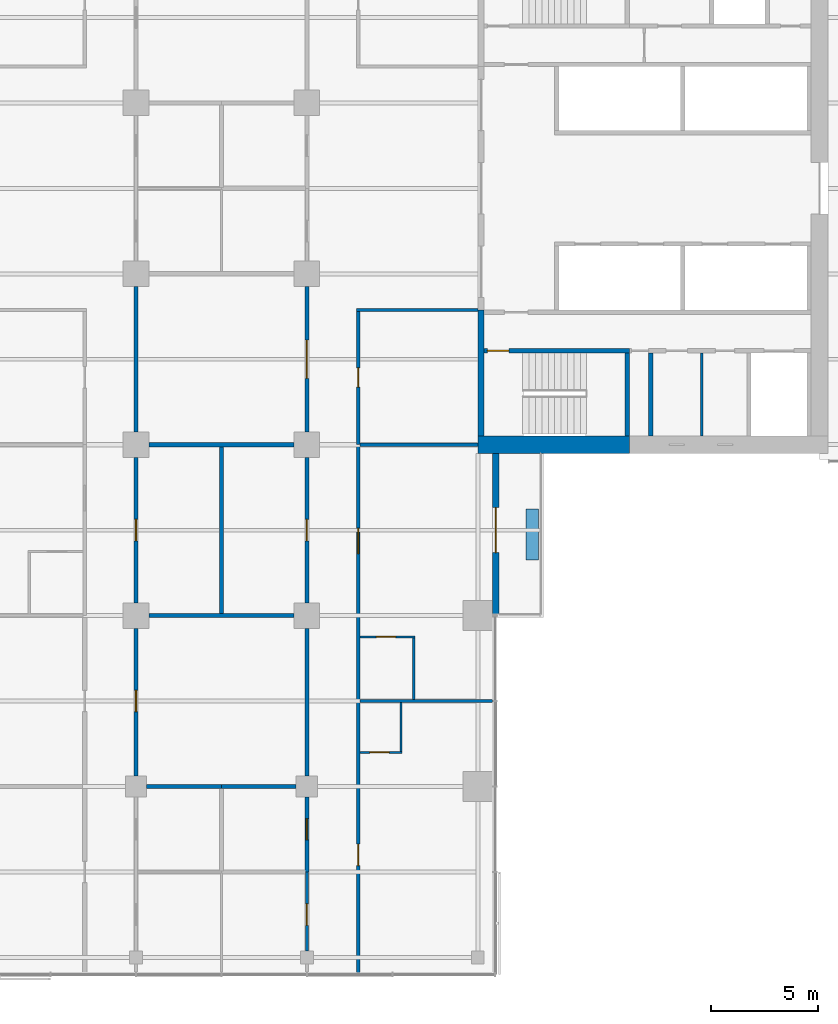
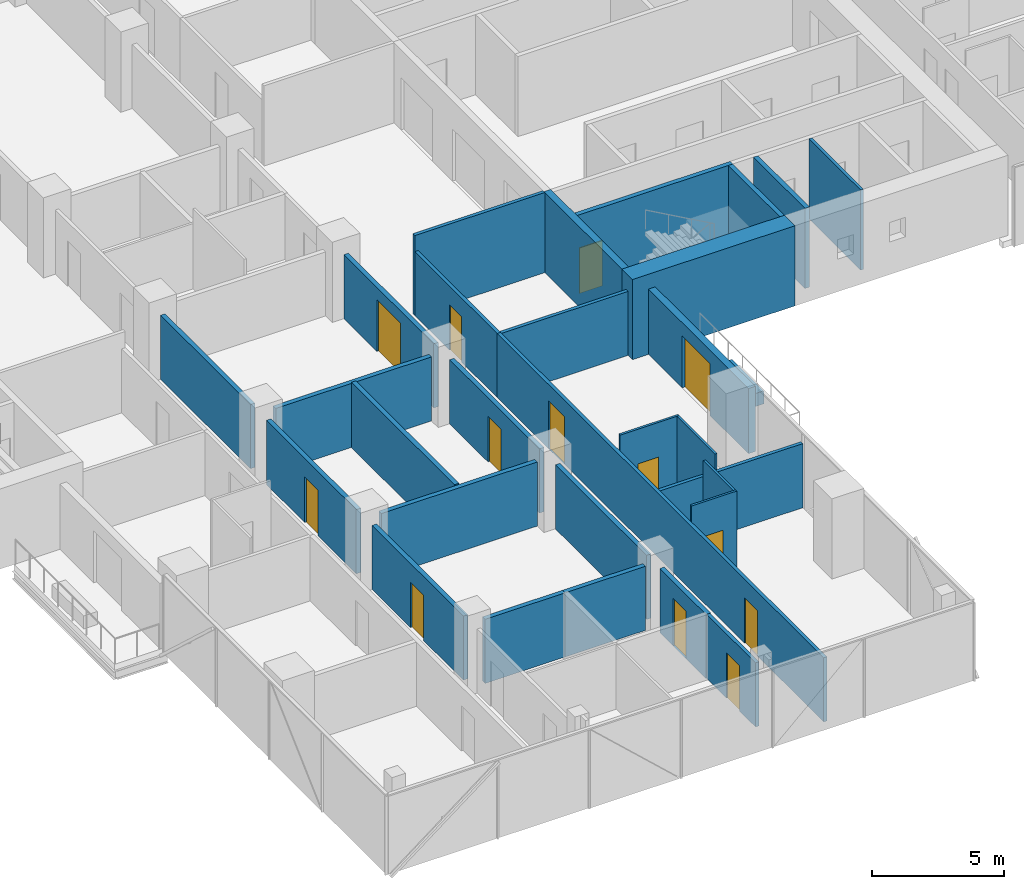
# One storey, part 16 of 27: 30 walls, 13 doors, 13 openings.
"""IFC4 building model written with IfcOpenShell, lengths in metres."""

from ifc_helpers import new_model, si_unit, direction, frame, frame_2d, origin, place, context, subcontext, project, spatial, rectangle, extrude, material, layer, layer_set, constituent, constituent_set, type_object, element, fill, save


model = new_model("IFC4")

# Units and contexts
model_context = context("Model", 3, precision=1e-05, world=origin(), true_north=direction((0.0, 1.0)))
body_context = subcontext(model_context, "Body", "Model", "MODEL_VIEW")
ifc_project = project(units=[si_unit("LENGTHUNIT", "METRE"), si_unit("AREAUNIT", "SQUARE_METRE"), si_unit("VOLUMEUNIT", "CUBIC_METRE"), si_unit("PLANEANGLEUNIT", "RADIAN"), si_unit("MASSUNIT", "GRAM", prefix="KILO")], contexts=[model_context])

# Site, building, storey
site_placement = place(None, origin())
site = spatial("IfcSite", under=ifc_project, at=site_placement, CompositionType="ELEMENT")
building_placement = place(site_placement, origin())
building = spatial("IfcBuilding", under=site, at=building_placement, Name="Crosswind Convention Tower", CompositionType="ELEMENT")
storey_placement = place(building_placement, frame((0.0, 0.0, 90.5)))
storey = spatial("IfcBuildingStorey", under=building, at=storey_placement, Name="L17", CompositionType="ELEMENT", Elevation=90.5)

# Walls
ifc_material_1 = material(Name="Concrete blockwork", Category="masonry")
ifc_layer_1 = layer(ifc_material_1, 0.199951171875)
ifc_layer_set_1 = layer_set([ifc_layer_1], Name="Blockwork partition wall 200")
wall_type_1 = type_object("IfcWallType", Name="Blockwork partition wall 200", PredefinedType="PARTITIONING", material=ifc_layer_set_1)
wall_1_placement = place(storey_placement, frame((145.10009765625, 88.39990234375, 0.0), z_axis=(0.0, 0.0, 1.0), x_axis=(0.0, 1.0, 0.0)))
element("IfcWall", 1, at=wall_1_placement, inside=storey, type_object=wall_type_1, Name="Wall MRSE E L17", PredefinedType="PARTITIONING", context=body_context, shape_type="SweptSolid", body=[
    extrude(rectangle(XDim=3.900146484375, YDim=0.199951171875, at=frame_2d((1.9501953125, 0.0))), origin(), (0.0, 0.0, 1.0), 3.699951171875),
])
ifc_layer_2 = layer(ifc_material_1, 0.199951171875)
ifc_layer_set_2 = layer_set([ifc_layer_2], Name="COMPARTMENT WALL 200")
wall_type_2 = type_object("IfcWallType", Name="COMPARTMENT WALL 200", PredefinedType="SOLIDWALL", material=ifc_layer_set_2)
wall_2_placement = place(storey_placement, frame((125.0, 72.0, 0.0), z_axis=(0.0, 0.0, 1.0), x_axis=(1.0, 0.0, 0.0)))
element("IfcWall", 2, at=wall_2_placement, inside=storey, type_object=wall_type_2, Name="Compartment Wall 5", PredefinedType="SOLIDWALL", context=body_context, shape_type="SweptSolid", body=[
    extrude(rectangle(XDim=3.5, YDim=0.199951171875, at=frame_2d((1.75, 0.0))), origin(), (0.0, 0.0, 1.0), 2.959716796875),
])

# Wall, opening, door
wall_3_placement = place(storey_placement, frame((129.0, 68.0, 0.0), z_axis=(0.0, 0.0, 1.0), x_axis=(0.0, 1.0, 0.0)))
wall_3 = element("IfcWall", 3, at=wall_3_placement, inside=storey, type_object=wall_type_2, Name="Compartment Wall 103", PredefinedType="SOLIDWALL", context=body_context, shape_type="SweptSolid", body=[
    extrude(rectangle(XDim=3.5, YDim=0.199951171875, at=frame_2d((1.75, 0.0))), origin(), (0.0, 0.0, 1.0), 2.959716796875),
])
opening_1_placement = place(wall_3_placement, frame((1.5, 0.0, 0.0)))
opening_1 = element("IfcOpeningElement", 4, at=opening_1_placement, cuts=wall_3, Name="Opening 17.053", PredefinedType="OPENING", context=body_context, shape_type="SweptSolid", body=[
    extrude(rectangle(XDim=1.0, YDim=2.199951171875, at=frame_2d((0.5, 1.10009765625))), frame((0.0, 0.10986328125, 0.0), z_axis=(0.0, -1.0, 0.0), x_axis=(1.0, 0.0, 0.0)), (0.0, 0.0, 1.0), 0.219970703125),
])
ifc_material_2 = material(Name="Steel fire door", Category="steel")
door_type_1 = type_object("IfcDoorType", Name="PLANT ROOM DOOR 1000X2200", OperationType="NOTDEFINED", PredefinedType="DOOR", material=ifc_material_2)
door_1_placement = place(opening_1_placement, origin())
door_1 = element("IfcDoor", 5, at=door_1_placement, inside=storey, type_object=door_type_1, Name="Door 17.053", ObjectType="D6", OperationType="SINGLE_SWING_RIGHT", OverallHeight=2.199951171875, OverallWidth=1.0, PredefinedType="DOOR", context=body_context, shape_type="SweptSolid", body=[
    extrude(rectangle(XDim=1.0, YDim=2.199951171875, at=frame_2d((0.5, 1.10009765625))), frame((0.0, 0.02490234375, 0.0), z_axis=(0.0, -1.0, 0.0), x_axis=(1.0, 0.0, 0.0)), (0.0, 0.0, 1.0), 0.050048828125),
])
fill(opening_1, door_1)

# Wall
ifc_material_3 = material(Name="Plasterboard partition", Category="gypsum")
ifc_layer_3 = layer(ifc_material_3, 0.14990234375)
ifc_layer_set_3 = layer_set([ifc_layer_3], Name="CORRIDOR WALL 150")
wall_type_3 = type_object("IfcWallType", Name="CORRIDOR WALL 150", PredefinedType="PARTITIONING", material=ifc_layer_set_3)
wall_4_placement = place(storey_placement, frame((131.324951171875, 94.300048828125, 0.0), z_axis=(0.0, 0.0, 1.0), x_axis=(1.0, 0.0, 0.0)))
element("IfcWall", 6, at=wall_4_placement, inside=storey, type_object=wall_type_3, Name="Corridor Wall 19", PredefinedType="PARTITIONING", context=body_context, shape_type="SweptSolid", body=[
    extrude(rectangle(XDim=5.675048828125, YDim=0.14990234375, at=frame_2d((2.83740234375, 0.0))), origin(), (0.0, 0.0, 1.0), 3.699951171875),
])

# Wall, opening, door
wall_5_placement = place(storey_placement, frame((129.0, 64.300048828125, 0.0), z_axis=(0.0, 0.0, 1.0), x_axis=(0.0, 1.0, 0.0)))
wall_5 = element("IfcWall", 7, at=wall_5_placement, inside=storey, type_object=wall_type_3, Name="Corridor Wall 102", PredefinedType="PARTITIONING", context=body_context, shape_type="SweptSolid", body=[
    extrude(rectangle(XDim=3.699951171875, YDim=0.14990234375, at=frame_2d((1.85009765625, 0.0))), origin(), (0.0, 0.0, 1.0), 2.959716796875),
])
opening_2_placement = place(wall_5_placement, frame((1.199951171875, 0.0, 0.0)))
opening_2 = element("IfcOpeningElement", 8, at=opening_2_placement, cuts=wall_5, Name="Opening 17.052", PredefinedType="OPENING", context=body_context, shape_type="SweptSolid", body=[
    extrude(rectangle(XDim=1.0, YDim=2.10009765625, at=frame_2d((0.5, 1.050048828125))), frame((0.0, 0.0849609375, 0.0), z_axis=(0.0, -1.0, 0.0), x_axis=(1.0, 0.0, 0.0)), (0.0, 0.0, 1.0), 0.169921875),
])
ifc_material_4 = material(Name="Timber fire door", Category="wood")
door_type_2 = type_object("IfcDoorType", Name="SERVICE ROOM DOOR 1000X2100", OperationType="NOTDEFINED", PredefinedType="DOOR", material=ifc_material_4)
door_2_placement = place(opening_2_placement, origin())
door_2 = element("IfcDoor", 9, at=door_2_placement, inside=storey, type_object=door_type_2, Name="Door 17.052", ObjectType="D3", OperationType="SINGLE_SWING_LEFT", OverallHeight=2.10009765625, OverallWidth=1.0, PredefinedType="DOOR", context=body_context, shape_type="SweptSolid", body=[
    extrude(rectangle(XDim=1.0, YDim=2.10009765625, at=frame_2d((0.5, 1.050048828125))), frame((0.0, 0.02490234375, 0.0), z_axis=(0.0, -1.0, 0.0), x_axis=(1.0, 0.0, 0.0)), (0.0, 0.0, 1.0), 0.050048828125),
])
fill(opening_2, door_2)

wall_6_placement = place(storey_placement, frame((131.39990234375, 88.0, 0.0), z_axis=(0.0, 0.0, 1.0), x_axis=(0.0, 1.0, 0.0)))
wall_6 = element("IfcWall", 10, at=wall_6_placement, inside=storey, type_object=wall_type_3, Name="Corridor Wall 115", PredefinedType="PARTITIONING", context=body_context, shape_type="SweptSolid", body=[
    extrude(rectangle(XDim=6.22509765625, YDim=0.14990234375, at=frame_2d((3.112548828125, 0.0))), origin(), (0.0, 0.0, 1.0), 2.956298828125),
])
opening_3_placement = place(wall_6_placement, frame((2.699951171875, 0.0, 0.0)))
opening_3 = element("IfcOpeningElement", 11, at=opening_3_placement, cuts=wall_6, Name="Opening 17.002", PredefinedType="OPENING", context=body_context, shape_type="SweptSolid", body=[
    extrude(rectangle(XDim=0.89990234375, YDim=2.10009765625, at=frame_2d((0.449951171875, 1.050048828125))), frame((0.0, 0.0849609375, 0.0), z_axis=(0.0, -1.0, 0.0), x_axis=(1.0, 0.0, 0.0)), (0.0, 0.0, 1.0), 0.169921875),
])
ifc_material_5 = material(Name="Timber door", Category="wood")
door_type_3 = type_object("IfcDoorType", Name="WC DOOR 900X2100", OperationType="NOTDEFINED", PredefinedType="DOOR", material=ifc_material_5)
door_3_placement = place(opening_3_placement, frame((0.89990234375, 0.0, 0.0), z_axis=(0.0, 0.0, 1.0), x_axis=(-1.0, 0.0, 0.0)))
door_3 = element("IfcDoor", 12, at=door_3_placement, inside=storey, type_object=door_type_3, Name="Door 17.002", ObjectType="D7", OperationType="SINGLE_SWING_LEFT", OverallHeight=2.10009765625, OverallWidth=0.89990234375, PredefinedType="DOOR", context=body_context, shape_type="SweptSolid", body=[
    extrude(rectangle(XDim=0.89990234375, YDim=2.10009765625, at=frame_2d((0.449951171875, 1.050048828125))), frame((0.0, 0.02490234375, 0.0), z_axis=(0.0, -1.0, 0.0), x_axis=(1.0, 0.0, 0.0)), (0.0, 0.0, 1.0), 0.050048828125),
])
fill(opening_3, door_3)

# Walls
ifc_material_6 = material(Name="Concrete C50/60", Category="concrete")
ifc_layer_4 = layer(ifc_material_6, 0.300048828125)
ifc_layer_set_4 = layer_set([ifc_layer_4], Name="Concrete C50/60")
wall_type_4 = type_object("IfcWallType", Name="Concrete inner core wall 300", PredefinedType="SHEAR", material=ifc_layer_set_4)
wall_7_placement = place(storey_placement, frame((137.14990234375, 88.39990234375, 0.0), z_axis=(0.0, 0.0, 1.0), x_axis=(0.0, 1.0, 0.0)))
element("IfcWall", 13, at=wall_7_placement, inside=storey, type_object=wall_type_4, Name="Wall EM E L17", PredefinedType="SHEAR", context=body_context, shape_type="SweptSolid", body=[
    extrude(rectangle(XDim=5.900146484375, YDim=0.300048828125, at=frame_2d((2.9501953125, 0.0))), origin(), (0.0, 0.0, 1.0), 3.699951171875),
])
ifc_layer_5 = layer(ifc_material_6, 0.199951171875)
ifc_layer_set_5 = layer_set([ifc_layer_5], Name="Concrete C50/60")
wall_type_5 = type_object("IfcWallType", Name="Concrete shaft and stair wall 200", PredefinedType="SHEAR", material=ifc_layer_set_5)
wall_8_placement = place(storey_placement, frame((144.0, 88.39990234375, 0.0), z_axis=(0.0, 0.0, 1.0), x_axis=(0.0, 1.0, 0.0)))
element("IfcWall", 14, at=wall_8_placement, inside=storey, type_object=wall_type_5, Name="Wall MSE E L17", PredefinedType="SHEAR", context=body_context, shape_type="SweptSolid", body=[
    extrude(rectangle(XDim=3.900146484375, YDim=0.199951171875, at=frame_2d((1.9501953125, 0.0))), origin(), (0.0, 0.0, 1.0), 3.699951171875),
])

# Wall, opening, door
wall_9_placement = place(storey_placement, frame((137.300048828125, 92.39990234375, 0.0), z_axis=(0.0, 0.0, 1.0), x_axis=(1.0, 0.0, 0.0)))
wall_9 = element("IfcWall", 15, at=wall_9_placement, inside=storey, type_object=wall_type_5, Name="Wall MCW E L17", PredefinedType="SHEAR", context=body_context, shape_type="SweptSolid", body=[
    extrude(rectangle(XDim=6.800048828125, YDim=0.199951171875, at=frame_2d((3.39990234375, 0.0))), origin(), (0.0, 0.0, 1.0), 3.699951171875),
])
opening_4_placement = place(wall_9_placement, frame((0.14990234375, 0.0, 0.0)))
opening_4 = element("IfcOpeningElement", 16, at=opening_4_placement, cuts=wall_9, Name="Opening D103", PredefinedType="OPENING", context=body_context, shape_type="SweptSolid", body=[
    extrude(rectangle(XDim=1.0, YDim=2.10009765625, at=frame_2d((0.5, 1.050048828125))), frame((0.0, 0.10986328125, 0.0), z_axis=(0.0, -1.0, 0.0), x_axis=(1.0, 0.0, 0.0)), (0.0, 0.0, 1.0), 0.219970703125),
])
door_type_4 = type_object("IfcDoorType", Name="Fire-rated single door 1000x2100", OperationType="NOTDEFINED", PredefinedType="DOOR", material=ifc_material_2)
door_4_placement = place(opening_4_placement, frame((1.0, 0.0, 0.0), z_axis=(0.0, 0.0, 1.0), x_axis=(-1.0, 0.0, 0.0)))
door_4 = element("IfcDoor", 17, at=door_4_placement, inside=storey, type_object=door_type_4, Name="Stair ST2 door L17", ObjectType="D103", OperationType="SINGLE_SWING_RIGHT", OverallHeight=2.10009765625, OverallWidth=1.0, PredefinedType="DOOR", context=body_context, shape_type="SweptSolid", body=[
    extrude(rectangle(XDim=1.0, YDim=2.10009765625, at=frame_2d((0.5, 1.050048828125))), frame((0.0, 0.02490234375, 0.0), z_axis=(0.0, -1.0, 0.0), x_axis=(1.0, 0.0, 0.0)), (0.0, 0.0, 1.0), 0.050048828125),
])
fill(opening_4, door_4)

# Walls
ifc_material_7 = material(Name="Gypsum plasterboard partition", Category="gypsum")
ifc_layer_6 = layer(ifc_material_7, 0.125)
ifc_layer_set_6 = layer_set([ifc_layer_6], Name="Drywall partition wall 125")
wall_type_6 = type_object("IfcWallType", Name="Drywall partition wall 125", PredefinedType="PARTITIONING", material=ifc_layer_set_6)
wall_10_placement = place(storey_placement, frame((147.488037109375, 88.39990234375, 0.0), z_axis=(0.0, 0.0, 1.0), x_axis=(0.0, 1.0, 0.0)))
element("IfcWall", 18, at=wall_10_placement, inside=storey, type_object=wall_type_6, Name="Wall MWP1 E L17", PredefinedType="PARTITIONING", context=body_context, shape_type="SweptSolid", body=[
    extrude(rectangle(XDim=3.900146484375, YDim=0.125, at=frame_2d((1.9501953125, 0.0))), origin(), (0.0, 0.0, 1.0), 3.699951171875),
])
ifc_material_8 = material(Name="Acoustic plasterboard partition", Category="gypsum")
ifc_layer_7 = layer(ifc_material_8, 0.14990234375)
ifc_layer_set_7 = layer_set([ifc_layer_7], Name="GUEST ROOM WALL 150")
wall_type_7 = type_object("IfcWallType", Name="GUEST ROOM WALL 150", PredefinedType="PARTITIONING", material=ifc_layer_set_7)
wall_11_placement = place(storey_placement, frame((131.47509765625, 76.0, 0.0), z_axis=(0.0, 0.0, 1.0), x_axis=(1.0, 0.0, 0.0)))
element("IfcWall", 19, at=wall_11_placement, inside=storey, type_object=wall_type_7, Name="Guest Room Wall 7", PredefinedType="PARTITIONING", context=body_context, shape_type="SweptSolid", body=[
    extrude(rectangle(XDim=6.224853515625, YDim=0.14990234375, at=frame_2d((3.1123046875, 0.0))), origin(), (0.0, 0.0, 1.0), 2.962890625),
])
wall_12_placement = place(storey_placement, frame((131.47509765625, 88.0, 0.0), z_axis=(0.0, 0.0, 1.0), x_axis=(1.0, 0.0, 0.0)))
element("IfcWall", 20, at=wall_12_placement, inside=storey, type_object=wall_type_7, Name="Guest Room Wall 14", PredefinedType="PARTITIONING", context=body_context, shape_type="SweptSolid", body=[
    extrude(rectangle(XDim=5.52490234375, YDim=0.14990234375, at=frame_2d((2.762451171875, 0.0))), origin(), (0.0, 0.0, 1.0), 2.956298828125),
])

# Wall, openings, doors
wall_13_placement = place(storey_placement, frame((131.39990234375, 63.300048828125, 0.0), z_axis=(0.0, 0.0, 1.0), x_axis=(0.0, 1.0, 0.0)))
wall_13 = element("IfcWall", 21, at=wall_13_placement, inside=storey, type_object=wall_type_7, Name="Guest Room Wall 114", PredefinedType="PARTITIONING", context=body_context, shape_type="SweptSolid", body=[
    extrude(rectangle(XDim=24.699951171875, YDim=0.14990234375, at=frame_2d((12.35009765625, 0.0))), origin(), (0.0, 0.0, 1.0), 2.956298828125),
])
opening_5_placement = place(wall_13_placement, frame((19.60009765625, 0.0, 0.0)))
opening_5 = element("IfcOpeningElement", 22, at=opening_5_placement, cuts=wall_13, Name="Opening 17.020", PredefinedType="OPENING", context=body_context, shape_type="SweptSolid", body=[
    extrude(rectangle(XDim=1.199951171875, YDim=2.199951171875, at=frame_2d((0.60009765625, 1.10009765625))), frame((0.0, 0.0849609375, 0.0), z_axis=(0.0, -1.0, 0.0), x_axis=(1.0, 0.0, 0.0)), (0.0, 0.0, 1.0), 0.169921875),
])
opening_6_placement = place(wall_13_placement, frame((5.0, 0.0, 0.0)))
opening_6 = element("IfcOpeningElement", 23, at=opening_6_placement, cuts=wall_13, Name="Opening 17.022", PredefinedType="OPENING", context=body_context, shape_type="SweptSolid", body=[
    extrude(rectangle(XDim=1.0, YDim=2.10009765625, at=frame_2d((0.5, 1.050048828125))), frame((0.0, 0.0849609375, 0.0), z_axis=(0.0, -1.0, 0.0), x_axis=(1.0, 0.0, 0.0)), (0.0, 0.0, 1.0), 0.169921875),
])
door_type_5 = type_object("IfcDoorType", Name="GUEST ROOM DOOR 1000X2100", OperationType="NOTDEFINED", PredefinedType="DOOR", material=ifc_material_4)
door_5_placement = place(opening_6_placement, frame((1.0, 0.0, 0.0), z_axis=(0.0, 0.0, 1.0), x_axis=(-1.0, 0.0, 0.0)))
door_5 = element("IfcDoor", 24, at=door_5_placement, inside=storey, type_object=door_type_5, Name="Door 17.022", ObjectType="D1", OperationType="SINGLE_SWING_LEFT", OverallHeight=2.10009765625, OverallWidth=1.0, PredefinedType="DOOR", context=body_context, shape_type="SweptSolid", body=[
    extrude(rectangle(XDim=1.0, YDim=2.10009765625, at=frame_2d((0.5, 1.050048828125))), frame((0.0, 0.02490234375, 0.0), z_axis=(0.0, -1.0, 0.0), x_axis=(1.0, 0.0, 0.0)), (0.0, 0.0, 1.0), 0.050048828125),
])
fill(opening_6, door_5)
door_type_6 = type_object("IfcDoorType", Name="SUITE DOOR 1200X2200", OperationType="DOUBLE_DOOR_SINGLE_SWING", PredefinedType="DOOR", material=ifc_material_4)
door_6_placement = place(opening_5_placement, frame((1.199951171875, 0.0, 0.0), z_axis=(0.0, 0.0, 1.0), x_axis=(-1.0, 0.0, 0.0)))
door_6 = element("IfcDoor", 25, at=door_6_placement, inside=storey, type_object=door_type_6, Name="Door 17.020", ObjectType="D14", OperationType="DOUBLE_DOOR_SINGLE_SWING", OverallHeight=2.199951171875, OverallWidth=1.199951171875, PredefinedType="DOOR", context=body_context, shape_type="SweptSolid", body=[
    extrude(rectangle(XDim=1.199951171875, YDim=2.199951171875, at=frame_2d((0.60009765625, 1.10009765625))), frame((0.0, 0.02490234375, 0.0), z_axis=(0.0, -1.0, 0.0), x_axis=(1.0, 0.0, 0.0)), (0.0, 0.0, 1.0), 0.050048828125),
])
fill(opening_5, door_6)

# Walls
ifc_material_9 = material(Name="Double plasterboard partition", Category="gypsum")
ifc_layer_8 = layer(ifc_material_9, 0.199951171875)
ifc_layer_set_8 = layer_set([ifc_layer_8], Name="HALL WALL 200")
wall_type_8 = type_object("IfcWallType", Name="HALL WALL 200", PredefinedType="PARTITIONING", material=ifc_layer_set_8)
wall_14_placement = place(storey_placement, frame((121.5, 72.0, 0.0), z_axis=(0.0, 0.0, 1.0), x_axis=(1.0, 0.0, 0.0)))
element("IfcWall", 26, at=wall_14_placement, inside=storey, type_object=wall_type_8, Name="Hall Wall 4", PredefinedType="PARTITIONING", context=body_context, shape_type="SweptSolid", body=[
    extrude(rectangle(XDim=3.5, YDim=0.199951171875, at=frame_2d((1.75, 0.0))), origin(), (0.0, 0.0, 1.0), 2.959716796875),
])
for number, where, z_axis, x_axis, name in (
    (27, (121.60009765625, 80.0, 0.0), (0.0, 0.0, 1.0), (1.0, 0.0, 0.0), "Hall Wall 10"),
    (28, (121.60009765625, 88.0, 0.0), (0.0, 0.0, 1.0), (1.0, 0.0, 0.0), "Hall Wall 13"),
):
    element("IfcWall", number, at=place(storey_placement, frame(where, z_axis=z_axis, x_axis=x_axis)), inside=storey, type_object=wall_type_8, Name=name, PredefinedType="PARTITIONING", context=body_context, shape_type="SweptSolid", body=[
        extrude(rectangle(XDim=6.7998046875, YDim=0.199951171875, at=frame_2d((3.39990234375, 0.0))), origin(), (0.0, 0.0, 1.0), 2.959716796875),
    ])

# Wall, opening, door
wall_15_placement = place(storey_placement, frame((121.0, 72.5, 0.0), z_axis=(0.0, 0.0, 1.0), x_axis=(0.0, 1.0, 0.0)))
wall_15 = element("IfcWall", 29, at=wall_15_placement, inside=storey, type_object=wall_type_8, Name="Hall Wall 85", PredefinedType="PARTITIONING", context=body_context, shape_type="SweptSolid", body=[
    extrude(rectangle(XDim=6.89990234375, YDim=0.199951171875, at=frame_2d((3.449951171875, 0.0))), origin(), (0.0, 0.0, 1.0), 2.959716796875),
])
opening_7_placement = place(wall_15_placement, frame((3.0, 0.0, 0.0)))
opening_7 = element("IfcOpeningElement", 30, at=opening_7_placement, cuts=wall_15, Name="Opening 17.054", PredefinedType="OPENING", context=body_context, shape_type="SweptSolid", body=[
    extrude(rectangle(XDim=1.0, YDim=2.10009765625, at=frame_2d((0.5, 1.050048828125))), frame((0.0, 0.10986328125, 0.0), z_axis=(0.0, -1.0, 0.0), x_axis=(1.0, 0.0, 0.0)), (0.0, 0.0, 1.0), 0.219970703125),
])
door_type_7 = type_object("IfcDoorType", Name="MEETING ROOM DOOR 1000X2100", OperationType="NOTDEFINED", PredefinedType="DOOR", material=ifc_material_4)
door_7_placement = place(opening_7_placement, origin())
door_7 = element("IfcDoor", 31, at=door_7_placement, inside=storey, type_object=door_type_7, Name="Door 17.054", ObjectType="D13", OperationType="SINGLE_SWING_RIGHT", OverallHeight=2.10009765625, OverallWidth=1.0, PredefinedType="DOOR", context=body_context, shape_type="SweptSolid", body=[
    extrude(rectangle(XDim=1.0, YDim=2.10009765625, at=frame_2d((0.5, 1.050048828125))), frame((0.0, 0.02490234375, 0.0), z_axis=(0.0, -1.0, 0.0), x_axis=(1.0, 0.0, 0.0)), (0.0, 0.0, 1.0), 0.050048828125),
])
fill(opening_7, door_7)

wall_16_placement = place(storey_placement, frame((121.0, 80.60009765625, 0.0), z_axis=(0.0, 0.0, 1.0), x_axis=(0.0, 1.0, 0.0)))
wall_16 = element("IfcWall", 32, at=wall_16_placement, inside=storey, type_object=wall_type_8, Name="Hall Wall 86", PredefinedType="PARTITIONING", context=body_context, shape_type="SweptSolid", body=[
    extrude(rectangle(XDim=6.7998046875, YDim=0.199951171875, at=frame_2d((3.39990234375, 0.0))), origin(), (0.0, 0.0, 1.0), 2.959716796875),
])
opening_8_placement = place(wall_16_placement, frame((2.89990234375, 0.0, 0.0)))
opening_8 = element("IfcOpeningElement", 33, at=opening_8_placement, cuts=wall_16, Name="Opening 17.055", PredefinedType="OPENING", context=body_context, shape_type="SweptSolid", body=[
    extrude(rectangle(XDim=1.0, YDim=2.10009765625, at=frame_2d((0.5, 1.050048828125))), frame((0.0, 0.10986328125, 0.0), z_axis=(0.0, -1.0, 0.0), x_axis=(1.0, 0.0, 0.0)), (0.0, 0.0, 1.0), 0.219970703125),
])
door_8_placement = place(opening_8_placement, frame((1.0, 0.0, 0.0), z_axis=(0.0, 0.0, 1.0), x_axis=(-1.0, 0.0, 0.0)))
door_8 = element("IfcDoor", 34, at=door_8_placement, inside=storey, type_object=door_type_7, Name="Door 17.055", ObjectType="D13", OperationType="SINGLE_SWING_LEFT", OverallHeight=2.10009765625, OverallWidth=1.0, PredefinedType="DOOR", context=body_context, shape_type="SweptSolid", body=[
    extrude(rectangle(XDim=1.0, YDim=2.10009765625, at=frame_2d((0.5, 1.050048828125))), frame((0.0, 0.02490234375, 0.0), z_axis=(0.0, -1.0, 0.0), x_axis=(1.0, 0.0, 0.0)), (0.0, 0.0, 1.0), 0.050048828125),
])
fill(opening_8, door_8)

# Walls
wall_17_placement = place(storey_placement, frame((121.0, 88.60009765625, 0.0), z_axis=(0.0, 0.0, 1.0), x_axis=(0.0, 1.0, 0.0)))
element("IfcWall", 35, at=wall_17_placement, inside=storey, type_object=wall_type_8, Name="Hall Wall 87", PredefinedType="PARTITIONING", context=body_context, shape_type="SweptSolid", body=[
    extrude(rectangle(XDim=6.7998046875, YDim=0.199951171875, at=frame_2d((3.39990234375, 0.0))), origin(), (0.0, 0.0, 1.0), 2.959716796875),
])
wall_18_placement = place(storey_placement, frame((125.0, 80.10009765625, 0.0), z_axis=(0.0, 0.0, 1.0), x_axis=(0.0, 1.0, 0.0)))
element("IfcWall", 36, at=wall_18_placement, inside=storey, type_object=wall_type_8, Name="Hall Wall 96", PredefinedType="PARTITIONING", context=body_context, shape_type="SweptSolid", body=[
    extrude(rectangle(XDim=7.7998046875, YDim=0.199951171875, at=frame_2d((3.89990234375, 0.0))), origin(), (0.0, 0.0, 1.0), 3.013671875),
])
wall_19_placement = place(storey_placement, frame((129.0, 72.5, 0.0), z_axis=(0.0, 0.0, 1.0), x_axis=(0.0, 1.0, 0.0)))
element("IfcWall", 37, at=wall_19_placement, inside=storey, type_object=wall_type_8, Name="Hall Wall 104", PredefinedType="PARTITIONING", context=body_context, shape_type="SweptSolid", body=[
    extrude(rectangle(XDim=6.89990234375, YDim=0.199951171875, at=frame_2d((3.449951171875, 0.0))), origin(), (0.0, 0.0, 1.0), 2.959716796875),
])

# Wall, opening, door
wall_20_placement = place(storey_placement, frame((129.0, 80.60009765625, 0.0), z_axis=(0.0, 0.0, 1.0), x_axis=(0.0, 1.0, 0.0)))
wall_20 = element("IfcWall", 38, at=wall_20_placement, inside=storey, type_object=wall_type_8, Name="Hall Wall 105", PredefinedType="PARTITIONING", context=body_context, shape_type="SweptSolid", body=[
    extrude(rectangle(XDim=6.7998046875, YDim=0.199951171875, at=frame_2d((3.39990234375, 0.0))), origin(), (0.0, 0.0, 1.0), 2.959716796875),
])
opening_9_placement = place(wall_20_placement, frame((2.89990234375, 0.0, 0.0)))
opening_9 = element("IfcOpeningElement", 39, at=opening_9_placement, cuts=wall_20, Name="Opening 17.056", PredefinedType="OPENING", context=body_context, shape_type="SweptSolid", body=[
    extrude(rectangle(XDim=1.0, YDim=2.10009765625, at=frame_2d((0.5, 1.050048828125))), frame((0.0, 0.10986328125, 0.0), z_axis=(0.0, -1.0, 0.0), x_axis=(1.0, 0.0, 0.0)), (0.0, 0.0, 1.0), 0.219970703125),
])
door_9_placement = place(opening_9_placement, origin())
door_9 = element("IfcDoor", 40, at=door_9_placement, inside=storey, type_object=door_type_7, Name="Door 17.056", ObjectType="D13", OperationType="SINGLE_SWING_RIGHT", OverallHeight=2.10009765625, OverallWidth=1.0, PredefinedType="DOOR", context=body_context, shape_type="SweptSolid", body=[
    extrude(rectangle(XDim=1.0, YDim=2.10009765625, at=frame_2d((0.5, 1.050048828125))), frame((0.0, 0.02490234375, 0.0), z_axis=(0.0, -1.0, 0.0), x_axis=(1.0, 0.0, 0.0)), (0.0, 0.0, 1.0), 0.050048828125),
])
fill(opening_9, door_9)

wall_21_placement = place(storey_placement, frame((129.0, 88.60009765625, 0.0), z_axis=(0.0, 0.0, 1.0), x_axis=(0.0, 1.0, 0.0)))
wall_21 = element("IfcWall", 41, at=wall_21_placement, inside=storey, type_object=wall_type_8, Name="Hall Wall 106", PredefinedType="PARTITIONING", context=body_context, shape_type="SweptSolid", body=[
    extrude(rectangle(XDim=6.7998046875, YDim=0.199951171875, at=frame_2d((3.39990234375, 0.0))), origin(), (0.0, 0.0, 1.0), 2.959716796875),
])
opening_10_placement = place(wall_21_placement, frame((2.5, 0.0, 0.0)))
opening_10 = element("IfcOpeningElement", 42, at=opening_10_placement, cuts=wall_21, Name="Opening 17.057", PredefinedType="OPENING", context=body_context, shape_type="SweptSolid", body=[
    extrude(rectangle(XDim=1.800048828125, YDim=2.39990234375, at=frame_2d((0.89990234375, 1.199951171875))), frame((0.0, 0.10986328125, 0.0), z_axis=(0.0, -1.0, 0.0), x_axis=(1.0, 0.0, 0.0)), (0.0, 0.0, 1.0), 0.219970703125),
])
door_type_8 = type_object("IfcDoorType", Name="HALL DOUBLE DOOR 1800X2400", OperationType="DOUBLE_DOOR_SINGLE_SWING", PredefinedType="DOOR", material=ifc_material_4)
door_10_placement = place(opening_10_placement, frame((1.800048828125, 0.0, 0.0), z_axis=(0.0, 0.0, 1.0), x_axis=(-1.0, 0.0, 0.0)))
door_10 = element("IfcDoor", 43, at=door_10_placement, inside=storey, type_object=door_type_8, Name="Door 17.057", ObjectType="D5", OperationType="DOUBLE_DOOR_SINGLE_SWING", OverallHeight=2.39990234375, OverallWidth=1.800048828125, PredefinedType="DOOR", context=body_context, shape_type="SweptSolid", body=[
    extrude(rectangle(XDim=1.800048828125, YDim=2.39990234375, at=frame_2d((0.89990234375, 1.199951171875))), frame((0.0, 0.02490234375, 0.0), z_axis=(0.0, -1.0, 0.0), x_axis=(1.0, 0.0, 0.0)), (0.0, 0.0, 1.0), 0.050048828125),
])
fill(opening_10, door_10)

# Wall
ifc_material_10 = material(Name="Concrete C30/37", Category="concrete")
ifc_layer_9 = layer(ifc_material_10, 0.60009765625)
ifc_layer_set_9 = layer_set([ifc_layer_9], Name="Concrete C30/37")
wall_type_9 = type_object("IfcWallType", Name="PLANTER BOX WALL 600", PredefinedType="SOLIDWALL", material=ifc_layer_set_9)
wall_22_placement = place(storey_placement, frame((139.550048828125, 82.60009765625, 0.0), z_axis=(0.0, 0.0, 1.0), x_axis=(0.0, 1.0, 0.0)))
element("IfcWall", 44, at=wall_22_placement, inside=storey, type_object=wall_type_9, Name="PLANTER L17 S-E.1-3", PredefinedType="SOLIDWALL", context=body_context, shape_type="SweptSolid", body=[
    extrude(rectangle(XDim=2.39990234375, YDim=0.60009765625, at=frame_2d((1.199951171875, 0.0))), origin(), (0.0, 0.0, 1.0), 0.60009765625),
])

# Wall, opening, door
ifc_material_11 = material(Name="Terracotta rainscreen", Category="ceramic")
ifc_layer_10 = layer(ifc_material_11, 0.02001953125)
ifc_material_12 = material(Name="Mineral wool insulation", Category="insulation")
ifc_layer_11 = layer(ifc_material_12, 0.10009765625)
ifc_layer_12 = layer(ifc_material_1, 0.179931640625)
ifc_layer_set_10 = layer_set([ifc_layer_10, ifc_layer_11, ifc_layer_12], Name="TERRACOTTA INFILL WALL 300")
wall_type_10 = type_object("IfcWallType", Name="TERRACOTTA INFILL WALL 300", PredefinedType="SOLIDWALL", material=ifc_layer_set_10)
wall_23_placement = place(storey_placement, frame((137.85009765625, 80.032470703125, 0.0), z_axis=(0.0, 0.0, 1.0), x_axis=(0.0, 1.0, 0.0)))
wall_23 = element("IfcWall", 45, at=wall_23_placement, inside=storey, type_object=wall_type_10, Name="Notch front wall L17 S-E.1-3", PredefinedType="SOLIDWALL", context=body_context, shape_type="SweptSolid", body=[
    extrude(rectangle(XDim=7.567626953125, YDim=0.300048828125, at=frame_2d((3.78369140625, 0.0))), origin(), (0.0, 0.0, 1.0), 3.013671875),
])
opening_11_placement = place(wall_23_placement, frame((2.91748046875, 0.0, 0.0)))
opening_11 = element("IfcOpeningElement", 46, at=opening_11_placement, cuts=wall_23, Name="Opening D141", PredefinedType="OPENING", context=body_context, shape_type="SweptSolid", body=[
    extrude(rectangle(XDim=2.10009765625, YDim=2.39990234375, at=frame_2d((1.050048828125, 1.199951171875))), frame((0.0, 0.159912109375, 0.0), z_axis=(0.0, -1.0, 0.0), x_axis=(1.0, 0.0, 0.0)), (0.0, 0.0, 1.0), 0.320068359375),
])
ifc_material_13 = material(Name="Aluminium glazed door", Category="aluminium")
door_type_9 = type_object("IfcDoorType", Name="BALCONY SLIDING DOOR 2100X2400", OperationType="SLIDING_TO_LEFT", PredefinedType="DOOR", material=ifc_material_13)
door_11_placement = place(opening_11_placement, frame((2.10009765625, 0.0, 0.0), z_axis=(0.0, 0.0, 1.0), x_axis=(-1.0, 0.0, 0.0)))
door_11 = element("IfcDoor", 47, at=door_11_placement, inside=storey, type_object=door_type_9, Name="D141 balcony door L17 S-E.1-3", ObjectType="D141", OperationType="SLIDING_TO_LEFT", OverallHeight=2.39990234375, OverallWidth=2.10009765625, PredefinedType="DOOR", context=body_context, shape_type="SweptSolid", body=[
    extrude(rectangle(XDim=2.10009765625, YDim=2.39990234375, at=frame_2d((1.050048828125, 1.199951171875))), frame((0.0, 0.02490234375, 0.0), z_axis=(0.0, -1.0, 0.0), x_axis=(1.0, 0.0, 0.0)), (0.0, 0.0, 1.0), 0.050048828125),
])
fill(opening_11, door_11)

# Wall
ifc_material_14 = material(Name="Concrete C60/75", Category="concrete")
ifc_constituent_1 = constituent(ifc_material_14, Name="Structure")
ifc_constituent_2 = constituent(ifc_material_11, Name="Facing")
ifc_constituent_set = constituent_set(constituents=[ifc_constituent_1, ifc_constituent_2], Name="Concrete C60/75, Terracotta rainscreen")
wall_type_11 = type_object("IfcWallType", Name="Terracotta rainscreen on concrete core wall 800", PredefinedType="SHEAR", material=ifc_constituent_set)
wall_24_placement = place(storey_placement, frame((137.0, 88.0, 0.0), z_axis=(0.0, 0.0, 1.0), x_axis=(1.0, 0.0, 0.0)))
element("IfcWall", 48, at=wall_24_placement, inside=storey, type_object=wall_type_11, Name="Wall S1 E L17", PredefinedType="SHEAR", context=body_context, shape_type="SweptSolid", body=[
    extrude(rectangle(XDim=7.10009765625, YDim=0.800048828125, at=frame_2d((3.550048828125, 0.0))), origin(), (0.0, 0.0, 1.0), 3.699951171875),
])

# Wall, opening, door
ifc_material_15 = material(Name="Water-resistant plasterboard partition", Category="gypsum")
ifc_layer_13 = layer(ifc_material_15, 0.10009765625)
ifc_layer_set_11 = layer_set([ifc_layer_13], Name="WET ROOM PARTITION 100")
wall_type_12 = type_object("IfcWallType", Name="WET ROOM PARTITION 100", PredefinedType="PLUMBINGWALL", material=ifc_layer_set_11)
wall_25_placement = place(storey_placement, frame((131.47509765625, 73.60009765625, 0.0), z_axis=(0.0, 0.0, 1.0), x_axis=(1.0, 0.0, 0.0)))
wall_25 = element("IfcWall", 49, at=wall_25_placement, inside=storey, type_object=wall_type_12, Name="Wet Room Partition 6", PredefinedType="PLUMBINGWALL", context=body_context, shape_type="SweptSolid", body=[
    extrude(rectangle(XDim=1.974853515625, YDim=0.10009765625, at=frame_2d((0.9873046875, 0.0))), origin(), (0.0, 0.0, 1.0), 3.699951171875),
])
opening_12_placement = place(wall_25_placement, frame((0.47509765625, 0.0, 0.0)))
opening_12 = element("IfcOpeningElement", 50, at=opening_12_placement, cuts=wall_25, Name="Opening 17.023", PredefinedType="OPENING", context=body_context, shape_type="SweptSolid", body=[
    extrude(rectangle(XDim=0.89990234375, YDim=2.10009765625, at=frame_2d((0.449951171875, 1.050048828125))), frame((0.0, 0.06005859375, 0.0), z_axis=(0.0, -1.0, 0.0), x_axis=(1.0, 0.0, 0.0)), (0.0, 0.0, 1.0), 0.1201171875),
])
door_type_10 = type_object("IfcDoorType", Name="EN-SUITE DOOR 900X2100", OperationType="NOTDEFINED", PredefinedType="DOOR", material=ifc_material_5)
door_12_placement = place(opening_12_placement, origin())
door_12 = element("IfcDoor", 51, at=door_12_placement, inside=storey, type_object=door_type_10, Name="Door 17.023", ObjectType="D2", OperationType="SINGLE_SWING_RIGHT", OverallHeight=2.10009765625, OverallWidth=0.89990234375, PredefinedType="DOOR", context=body_context, shape_type="SweptSolid", body=[
    extrude(rectangle(XDim=0.89990234375, YDim=2.10009765625, at=frame_2d((0.449951171875, 1.050048828125))), frame((0.0, 0.02490234375, 0.0), z_axis=(0.0, -1.0, 0.0), x_axis=(1.0, 0.0, 0.0)), (0.0, 0.0, 1.0), 0.050048828125),
])
fill(opening_12, door_12)

wall_26_placement = place(storey_placement, frame((131.47509765625, 79.0, 0.0), z_axis=(0.0, 0.0, 1.0), x_axis=(1.0, 0.0, 0.0)))
wall_26 = element("IfcWall", 52, at=wall_26_placement, inside=storey, type_object=wall_type_12, Name="Wet Room Partition 8", PredefinedType="PLUMBINGWALL", context=body_context, shape_type="SweptSolid", body=[
    extrude(rectangle(XDim=2.574951171875, YDim=0.10009765625, at=frame_2d((1.28759765625, 0.0))), origin(), (0.0, 0.0, 1.0), 3.699951171875),
])
opening_13_placement = place(wall_26_placement, frame((0.77490234375, 0.0, 0.0)))
opening_13 = element("IfcOpeningElement", 53, at=opening_13_placement, cuts=wall_26, Name="Opening 17.021", PredefinedType="OPENING", context=body_context, shape_type="SweptSolid", body=[
    extrude(rectangle(XDim=0.89990234375, YDim=2.10009765625, at=frame_2d((0.449951171875, 1.050048828125))), frame((0.0, 0.06005859375, 0.0), z_axis=(0.0, -1.0, 0.0), x_axis=(1.0, 0.0, 0.0)), (0.0, 0.0, 1.0), 0.1201171875),
])
door_13_placement = place(opening_13_placement, frame((0.89990234375, 0.0, 0.0), z_axis=(0.0, 0.0, 1.0), x_axis=(-1.0, 0.0, 0.0)))
door_13 = element("IfcDoor", 54, at=door_13_placement, inside=storey, type_object=door_type_10, Name="Door 17.021", ObjectType="D2", OperationType="SINGLE_SWING_LEFT", OverallHeight=2.10009765625, OverallWidth=0.89990234375, PredefinedType="DOOR", context=body_context, shape_type="SweptSolid", body=[
    extrude(rectangle(XDim=0.89990234375, YDim=2.10009765625, at=frame_2d((0.449951171875, 1.050048828125))), frame((0.0, 0.02490234375, 0.0), z_axis=(0.0, -1.0, 0.0), x_axis=(1.0, 0.0, 0.0)), (0.0, 0.0, 1.0), 0.050048828125),
])
fill(opening_13, door_13)

# Walls
wall_27_placement = place(storey_placement, frame((133.39990234375, 73.64990234375, 0.0), z_axis=(0.0, 0.0, 1.0), x_axis=(0.0, 1.0, 0.0)))
element("IfcWall", 55, at=wall_27_placement, inside=storey, type_object=wall_type_12, Name="Wet Room Partition 119", PredefinedType="PLUMBINGWALL", context=body_context, shape_type="SweptSolid", body=[
    extrude(rectangle(XDim=2.275146484375, YDim=0.10009765625, at=frame_2d((1.1376953125, 0.0))), origin(), (0.0, 0.0, 1.0), 3.699951171875),
])
wall_28_placement = place(storey_placement, frame((134.0, 76.074951171875, 0.0), z_axis=(0.0, 0.0, 1.0), x_axis=(0.0, 1.0, 0.0)))
element("IfcWall", 56, at=wall_28_placement, inside=storey, type_object=wall_type_12, Name="Wet Room Partition 121", PredefinedType="PLUMBINGWALL", context=body_context, shape_type="SweptSolid", body=[
    extrude(rectangle(XDim=2.875, YDim=0.10009765625, at=frame_2d((1.4375, 0.0))), origin(), (0.0, 0.0, 1.0), 3.699951171875),
])

save(model, "model.ifc")
